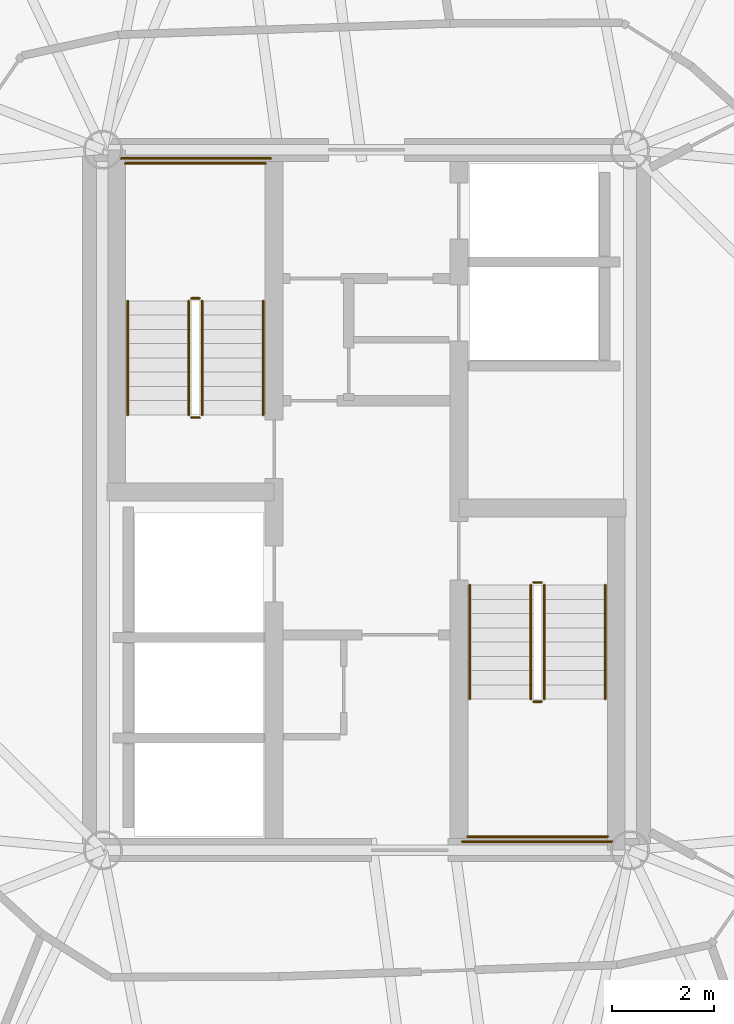
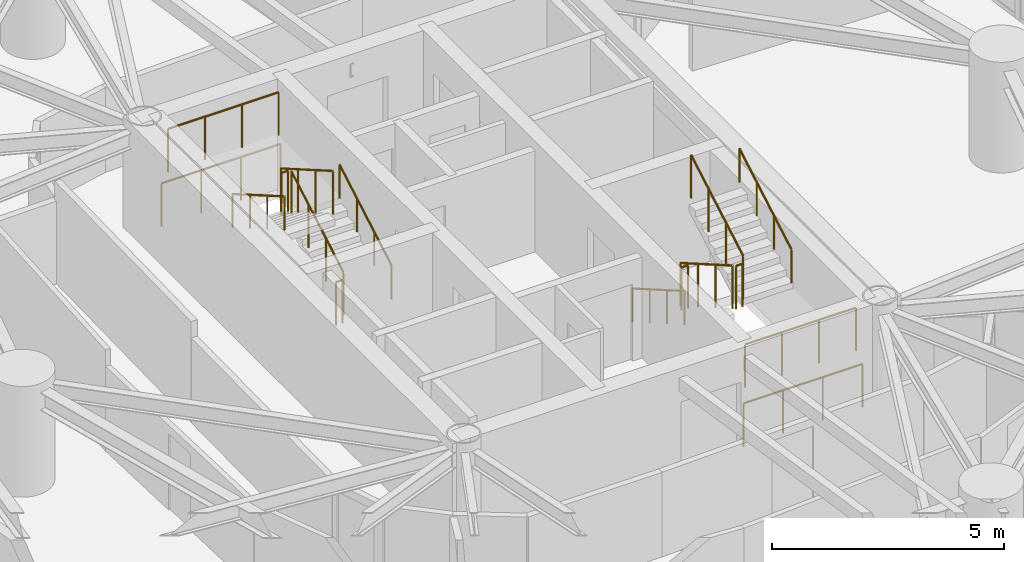
# One storey, part 16 of 17: 16 railings.
"""IFC4 building model written with IfcOpenShell, lengths in metres."""

import ifcopenshell
import ifcopenshell.guid

model = None  # the IFC model being written
_history = None  # IfcOwnerHistory: only IFC2X3 demands one
_inside = {}  # id of a spatial element -> (the spatial element, [elements in it])
_under = {}  # id of a project, library or spatial element -> (it, [spatial elements below it])
_declared = {}  # id of a project -> (the project, [libraries it declares])
_typed = {}  # id of a type object -> (the type object, [elements of that type])
_made_of = {}  # id of a material, layer set ... -> (it, [elements and type objects made of it])


def new_model(schema):
    """Start an empty IFC model of exactly this schema.

    Asked for "IFC4X3", IfcOpenShell would pick the latest addendum, in which some entities
    have other attributes; the version numbers below select the first issue.
    IFC2X3 requires an IfcOwnerHistory on every rooted entity: one is made here for all.
    """
    global model, _history
    if schema == "IFC4X3":
        model = ifcopenshell.file(schema_version=(4, 3, 0, 0))
    else:
        model = ifcopenshell.file(schema=schema)
    _inside.clear()
    _under.clear()
    _declared.clear()
    _typed.clear()
    _made_of.clear()
    _history = None
    if model.schema == "IFC2X3":
        org = make("IfcOrganization", Name="unknown")
        user = make(
            "IfcPersonAndOrganization",
            ThePerson=make("IfcPerson", FamilyName="unknown"),
            TheOrganization=org,
        )
        app = make(
            "IfcApplication",
            ApplicationDeveloper=org,
            Version="unknown",
            ApplicationFullName="unknown",
            ApplicationIdentifier="unknown",
        )
        _history = make(
            "IfcOwnerHistory",
            OwningUser=user,
            OwningApplication=app,
            ChangeAction="ADDED",
            CreationDate=0,
        )
    return model


def make(cls, **values):
    """One entity of the class cls with the attributes given. An attribute that is None is left unset."""
    return model.create_entity(
        cls, **{name: value for name, value in values.items() if value is not None}
    )


def rooted(cls, **values):
    """An entity with a GlobalId (a new one), such as an element, a storey or a relation."""
    return make(cls, GlobalId=ifcopenshell.guid.new(), OwnerHistory=_history, **values)


def si_unit(unit_type, name, prefix=None):
    """IfcSIUnit, for example si_unit("LENGTHUNIT", "METRE", prefix="MILLI")."""
    return make("IfcSIUnit", UnitType=unit_type, Prefix=prefix, Name=name)


def assignment(units):
    """IfcUnitAssignment: the units of a project."""
    return None if units is None else make("IfcUnitAssignment", Units=units)


def point(xyz):
    """IfcCartesianPoint."""
    return None if xyz is None else make("IfcCartesianPoint", Coordinates=xyz)


def direction(xyz):
    """IfcDirection."""
    return None if xyz is None else make("IfcDirection", DirectionRatios=xyz)


def frame(location, z_axis=None, x_axis=None):
    """IfcAxis2Placement3D, a coordinate frame: its origin and axes. An axis left out is left unset."""
    return make(
        "IfcAxis2Placement3D",
        Location=point(location),
        Axis=direction(z_axis),
        RefDirection=direction(x_axis),
    )


def frame_2d(location, x_axis=None):
    """IfcAxis2Placement2D, a coordinate frame in the plane: its origin and x axis."""
    return make(
        "IfcAxis2Placement2D", Location=point(location), RefDirection=direction(x_axis)
    )


def origin():
    """The frame at (0, 0, 0) with its axes left unset."""
    return frame((0.0, 0.0, 0.0))


def origin_2d():
    """The frame at (0, 0) in the plane with its x axis left unset."""
    return frame_2d((0.0, 0.0))


def place(relative_to, where):
    """IfcLocalPlacement: puts the frame where relative to a parent placement (None: the world)."""
    return make(
        "IfcLocalPlacement", PlacementRelTo=relative_to, RelativePlacement=where
    )


def context(
    kind, dimensions, precision=None, world=None, true_north=None, identifier=None
):
    """IfcGeometricRepresentationContext, for example the 3D "Model" context."""
    return make(
        "IfcGeometricRepresentationContext",
        ContextIdentifier=identifier,
        ContextType=kind,
        CoordinateSpaceDimension=dimensions,
        Precision=precision,
        WorldCoordinateSystem=world,
        TrueNorth=true_north,
    )


def subcontext(parent, identifier, kind, view, scale=None):
    """IfcGeometricRepresentationSubContext, for example "Body" below "Model"."""
    return make(
        "IfcGeometricRepresentationSubContext",
        ContextIdentifier=identifier,
        ContextType=kind,
        ParentContext=parent,
        TargetScale=scale,
        TargetView=view,
    )


def project(units=None, contexts=None):
    """IfcProject with its units and contexts."""
    return rooted(
        "IfcProject",
        Name="project",
        RepresentationContexts=contexts,
        UnitsInContext=assignment(units),
    )


def spatial(cls, under=None, at=None, **own):
    """A site, building, storey or space (cls), placed at a placement, below another one or the project."""
    s = rooted(cls, ObjectPlacement=at, **own)
    if under is not None:
        _under.setdefault(under.id(), (under, []))[1].append(s)
    return s


def profile(cls, at=None, kind="AREA", **sizes):
    """A parametric profile (cls). Its sizes go by their IFC names, for example OverallWidth=200.0."""
    return make(cls, ProfileType=kind, Position=at, **sizes)


def circle(**sizes):
    """IfcCircleProfileDef."""
    return profile("IfcCircleProfileDef", **sizes)


def extrude(swept, where, along, depth):
    """IfcExtrudedAreaSolid: the profile swept, set in the frame where, extruded along a direction by depth."""
    return make(
        "IfcExtrudedAreaSolid",
        SweptArea=swept,
        Position=where,
        ExtrudedDirection=direction(along),
        Depth=depth,
    )


def shape(context_of_items, identifier, shape_type, items):
    """IfcShapeRepresentation: the items that make up one representation, for example the "Body"."""
    return make(
        "IfcShapeRepresentation",
        ContextOfItems=context_of_items,
        RepresentationIdentifier=identifier,
        RepresentationType=shape_type,
        Items=items,
    )


def material(Name=None, Category=None):
    """IfcMaterial."""
    return make("IfcMaterial", Name=Name, Category=Category)


def made_of(thing, what):
    """Note that an element or type object is made of a material, layer set ...; save() writes the relation."""
    if what is not None:
        _made_of.setdefault(what.id(), (what, []))[1].append(thing)
    return thing


def type_object(cls, material=None, **own):
    """A type object (cls), such as IfcWallType, which elements share."""
    return made_of(rooted(cls, **own), material)


def element(
    cls,
    number,
    at=None,
    inside=None,
    cuts=None,
    type_object=None,
    material=None,
    context=None,
    identifier="Body",
    shape_type=None,
    held_by="IfcProductDefinitionShape",
    body=None,
    shapes=None,
    **own,
):
    """One element of the class cls, such as IfcWall. Its Tag is "e" and its number.

    at: its placement. inside: the storey or other place that contains it. cuts: it is an
    opening in that element (IfcRelVoidsElement). A single representation is given by context,
    identifier, shape_type and body (its items); several are given by shapes. held_by: the class
    of the entity that holds the representations. save() writes the other relations.
    """
    e = rooted(cls, Tag="e%d" % number, ObjectPlacement=at, **own)
    if body is not None:
        shapes = [shape(context, identifier, shape_type, body)]
    if shapes is not None:
        e.Representation = make(held_by, Representations=shapes)
    if inside is not None:
        _inside.setdefault(inside.id(), (inside, []))[1].append(e)
    if cuts is not None:
        rooted(
            "IfcRelVoidsElement", RelatingBuildingElement=cuts, RelatedOpeningElement=e
        )
    if type_object is not None:
        _typed.setdefault(type_object.id(), (type_object, []))[1].append(e)
    return made_of(e, material)


def aggregate(whole, parts):
    """IfcRelAggregates: a whole, such as a stair, and the parts it consists of."""
    return rooted("IfcRelAggregates", RelatingObject=whole, RelatedObjects=parts)


def save(model, path):
    """Write the relations noted so far, then the file.

    IfcRelAggregates (storeys below a building ...), IfcRelContainedInSpatialStructure (elements
    in a storey), IfcRelDefinesByType, IfcRelAssociatesMaterial and IfcRelDeclares: one each for
    every whole, place, type object, material and project.
    """
    for whole, parts in _under.values():
        aggregate(whole, parts)
    for where, things in _inside.values():
        rooted(
            "IfcRelContainedInSpatialStructure",
            RelatedElements=things,
            RelatingStructure=where,
        )
    for kind, things in _typed.values():
        rooted("IfcRelDefinesByType", RelatedObjects=things, RelatingType=kind)
    for what, things in _made_of.values():
        rooted("IfcRelAssociatesMaterial", RelatedObjects=things, RelatingMaterial=what)
    for by, libraries in _declared.values():
        rooted("IfcRelDeclares", RelatingContext=by, RelatedDefinitions=libraries)
    model.write(path)


model = new_model("IFC4")

# Units and contexts
model_context = context("Model", 3, precision=1e-05, world=origin(), true_north=direction((0.0, 1.0)))
body_context = subcontext(model_context, "Body", "Model", "MODEL_VIEW")
ifc_project = project(units=[si_unit("LENGTHUNIT", "METRE"), si_unit("AREAUNIT", "SQUARE_METRE"), si_unit("VOLUMEUNIT", "CUBIC_METRE"), si_unit("PLANEANGLEUNIT", "RADIAN"), si_unit("MASSUNIT", "GRAM", prefix="KILO")], contexts=[model_context])

# Site, building, storey
site_placement = place(None, origin())
site = spatial("IfcSite", under=ifc_project, at=site_placement, CompositionType="ELEMENT")
building_placement = place(site_placement, origin())
building = spatial("IfcBuilding", under=site, at=building_placement, Name="Cununo Teusaquillo Station Towers", CompositionType="ELEMENT")
storey_placement = place(building_placement, frame((0.0, 0.0, 107.97998046875)))
storey = spatial("IfcBuildingStorey", under=building, at=storey_placement, Name="L34", CompositionType="ELEMENT", Elevation=107.97998046875)

# Railings
ifc_material_1 = material(Name="Steel EN 10025-2 S355J2", Category="steel")
railing_type_1 = type_object("IfcRailingType", Name="RL-INT-GUARD", PredefinedType="GUARDRAIL", material=ifc_material_1)
railing_1_placement = place(storey_placement, frame((13.27001953125, 26.169921875, 0.16162109375)))
element("IfcRailing", 1, at=railing_1_placement, inside=storey, type_object=railing_type_1, Name="L34 ST-T1-1 stair guard 1", PredefinedType="GUARDRAIL", context=body_context, shape_type="SweptSolid", body=[
    extrude(circle(Radius=0.02392578125, at=origin_2d()), frame((0.0, 0.0, 1.1259765625), z_axis=(0.0, 0.865992244559, 0.500057429065), x_axis=(-1.0, 0.0, 0.0)), (0.0, 0.0, 1.0), 2.586669921875),
    extrude(circle(Radius=0.02099609375, at=origin_2d()), origin(), (0.0, 0.0, 1.0), 1.101806640625),
    extrude(circle(Radius=0.02099609375, at=origin_2d()), frame((0.0, 0.74658203125, 0.43115234375)), (0.0, 0.0, 1.0), 1.101806640625),
    extrude(circle(Radius=0.02099609375, at=origin_2d()), frame((0.0, 1.493408203125, 0.8623046875)), (0.0, 0.0, 1.0), 1.101806640625),
    extrude(circle(Radius=0.02099609375, at=origin_2d()), frame((0.0, 2.239990234375, 1.29345703125)), (0.0, 0.0, 1.0), 1.101806640625),
])
railing_2_placement = place(storey_placement, frame((13.219970703125, 28.4599609375, 1.455078125)))
element("IfcRailing", 2, at=railing_2_placement, inside=storey, type_object=railing_type_1, Name="L34 ST-T1-1 stair guard 2", PredefinedType="GUARDRAIL", context=body_context, shape_type="SweptSolid", body=[
    extrude(circle(Radius=0.02392578125, at=origin_2d()), frame((0.0, 0.0, 1.1259765625), z_axis=(-1.0, 0.0, 0.0), x_axis=(0.0, -1.0, 0.0)), (0.0, 0.0, 1.0), 0.159912109375),
    extrude(circle(Radius=0.02099609375, at=origin_2d()), origin(), (0.0, 0.0, 1.0), 1.101806640625),
    extrude(circle(Radius=0.02099609375, at=origin_2d()), frame((-0.159912109375, 0.0, 0.0)), (0.0, 0.0, 1.0), 1.101806640625),
])
railing_3_placement = place(storey_placement, frame((14.52001953125, 31.110107421875, 1.455078125)))
element("IfcRailing", 3, at=railing_3_placement, inside=storey, type_object=railing_type_1, Name="L34 ST-T1-1 stair guard 3", PredefinedType="GUARDRAIL", context=body_context, shape_type="SweptSolid", body=[
    extrude(circle(Radius=0.02392578125, at=origin_2d()), frame((0.0, 0.0, 1.1259765625), z_axis=(-1.0, 0.0, 0.0), x_axis=(0.0, -1.0, 0.0)), (0.0, 0.0, 1.0), 2.760009765625),
    extrude(circle(Radius=0.02099609375, at=origin_2d()), origin(), (0.0, 0.0, 1.0), 1.101806640625),
    extrude(circle(Radius=0.02099609375, at=origin_2d()), frame((-0.919921875, 0.0, 0.0)), (0.0, 0.0, 1.0), 1.101806640625),
    extrude(circle(Radius=0.02099609375, at=origin_2d()), frame((-1.840087890625, 0.0, 0.0)), (0.0, 0.0, 1.0), 1.101806640625),
    extrude(circle(Radius=0.02099609375, at=origin_2d()), frame((-2.760009765625, 0.0, 0.0)), (0.0, 0.0, 1.0), 1.101806640625),
])
railing_4_placement = place(storey_placement, frame((13.010009765625, 28.409912109375, 1.61669921875)))
element("IfcRailing", 4, at=railing_4_placement, inside=storey, type_object=railing_type_1, Name="L34 ST-T1-1 stair guard 4", PredefinedType="GUARDRAIL", context=body_context, shape_type="SweptSolid", body=[
    extrude(circle(Radius=0.02392578125, at=origin_2d()), frame((0.0, 0.0, 1.1259765625), z_axis=(0.0, -0.866033117094, 0.499986639918), x_axis=(1.0, 0.0, 0.0)), (0.0, 0.0, 1.0), 2.58642578125),
    extrude(circle(Radius=0.02099609375, at=origin_2d()), origin(), (0.0, 0.0, 1.0), 1.101806640625),
    extrude(circle(Radius=0.02099609375, at=origin_2d()), frame((0.0, -0.74658203125, 0.43115234375)), (0.0, 0.0, 1.0), 1.101806640625),
    extrude(circle(Radius=0.02099609375, at=origin_2d()), frame((0.0, -1.493408203125, 0.862060546875)), (0.0, 0.0, 1.0), 1.101806640625),
    extrude(circle(Radius=0.02099609375, at=origin_2d()), frame((0.0, -2.239990234375, 1.293212890625)), (0.0, 0.0, 1.0), 1.101806640625),
])
railing_5_placement = place(storey_placement, frame((13.219970703125, 26.1201171875, 0.0)))
element("IfcRailing", 5, at=railing_5_placement, inside=storey, type_object=railing_type_1, Name="L34 ST-T1-1 stair guard 5", PredefinedType="GUARDRAIL", context=body_context, shape_type="SweptSolid", body=[
    extrude(circle(Radius=0.02392578125, at=origin_2d()), frame((0.0, 0.0, 1.1259765625), z_axis=(-1.0, 0.0, 0.0), x_axis=(0.0, -1.0, 0.0)), (0.0, 0.0, 1.0), 0.159912109375),
    extrude(circle(Radius=0.02099609375, at=origin_2d()), origin(), (0.0, 0.0, 1.0), 1.101806640625),
    extrude(circle(Radius=0.02099609375, at=origin_2d()), frame((-0.159912109375, 0.0, 0.0)), (0.0, 0.0, 1.0), 1.101806640625),
])
railing_6_placement = place(storey_placement, frame((14.6201171875, 31.2099609375, 0.0)))
element("IfcRailing", 6, at=railing_6_placement, inside=storey, type_object=railing_type_1, Name="L34 ST-T1-1 stair guard 6", PredefinedType="GUARDRAIL", context=body_context, shape_type="SweptSolid", body=[
    extrude(circle(Radius=0.02392578125, at=origin_2d()), frame((0.0, 0.0, 1.1259765625), z_axis=(-1.0, 0.0, 0.0), x_axis=(0.0, -1.0, 0.0)), (0.0, 0.0, 1.0), 2.960205078125),
    extrude(circle(Radius=0.02099609375, at=origin_2d()), origin(), (0.0, 0.0, 1.0), 1.101806640625),
    extrude(circle(Radius=0.02099609375, at=origin_2d()), frame((-0.98681640625, 0.0, 0.0)), (0.0, 0.0, 1.0), 1.101806640625),
    extrude(circle(Radius=0.02099609375, at=origin_2d()), frame((-1.973388671875, 0.0, 0.0)), (0.0, 0.0, 1.0), 1.101806640625),
    extrude(circle(Radius=0.02099609375, at=origin_2d()), frame((-2.960205078125, 0.0, 0.0)), (0.0, 0.0, 1.0), 1.101806640625),
])
railing_7_placement = place(storey_placement, frame((19.72998046875, 22.830078125, 0.16162109375)))
element("IfcRailing", 7, at=railing_7_placement, inside=storey, type_object=railing_type_1, Name="L34 ST-T1-2 stair guard 1", PredefinedType="GUARDRAIL", context=body_context, shape_type="SweptSolid", body=[
    extrude(circle(Radius=0.02392578125, at=origin_2d()), frame((0.0, 0.0, 1.1259765625), z_axis=(0.0, -0.865992244559, 0.500057429065), x_axis=(1.0, 0.0, 0.0)), (0.0, 0.0, 1.0), 2.586669921875),
    extrude(circle(Radius=0.02099609375, at=origin_2d()), origin(), (0.0, 0.0, 1.0), 1.101806640625),
    extrude(circle(Radius=0.02099609375, at=origin_2d()), frame((0.0, -0.74658203125, 0.43115234375)), (0.0, 0.0, 1.0), 1.101806640625),
    extrude(circle(Radius=0.02099609375, at=origin_2d()), frame((0.0, -1.493408203125, 0.8623046875)), (0.0, 0.0, 1.0), 1.101806640625),
    extrude(circle(Radius=0.02099609375, at=origin_2d()), frame((0.0, -2.239990234375, 1.29345703125)), (0.0, 0.0, 1.0), 1.101806640625),
])
railing_8_placement = place(storey_placement, frame((19.780029296875, 20.5400390625, 1.455078125)))
element("IfcRailing", 8, at=railing_8_placement, inside=storey, type_object=railing_type_1, Name="L34 ST-T1-2 stair guard 2", PredefinedType="GUARDRAIL", context=body_context, shape_type="SweptSolid", body=[
    extrude(circle(Radius=0.02392578125, at=origin_2d()), frame((0.0, 0.0, 1.1259765625), z_axis=(1.0, 0.0, 0.0), x_axis=(0.0, 1.0, 0.0)), (0.0, 0.0, 1.0), 0.159912109375),
    extrude(circle(Radius=0.02099609375, at=origin_2d()), origin(), (0.0, 0.0, 1.0), 1.101806640625),
    extrude(circle(Radius=0.02099609375, at=origin_2d()), frame((0.159912109375, 0.0, 0.0)), (0.0, 0.0, 1.0), 1.101806640625),
])
railing_9_placement = place(storey_placement, frame((18.47998046875, 17.889892578125, 1.455078125)))
element("IfcRailing", 9, at=railing_9_placement, inside=storey, type_object=railing_type_1, Name="L34 ST-T1-2 stair guard 3", PredefinedType="GUARDRAIL", context=body_context, shape_type="SweptSolid", body=[
    extrude(circle(Radius=0.02392578125, at=origin_2d()), frame((0.0, 0.0, 1.1259765625), z_axis=(1.0, 0.0, 0.0), x_axis=(0.0, 1.0, 0.0)), (0.0, 0.0, 1.0), 2.760009765625),
    extrude(circle(Radius=0.02099609375, at=origin_2d()), origin(), (0.0, 0.0, 1.0), 1.101806640625),
    extrude(circle(Radius=0.02099609375, at=origin_2d()), frame((0.919921875, 0.0, 0.0)), (0.0, 0.0, 1.0), 1.101806640625),
    extrude(circle(Radius=0.02099609375, at=origin_2d()), frame((1.840087890625, 0.0, 0.0)), (0.0, 0.0, 1.0), 1.101806640625),
    extrude(circle(Radius=0.02099609375, at=origin_2d()), frame((2.760009765625, 0.0, 0.0)), (0.0, 0.0, 1.0), 1.101806640625),
])
railing_10_placement = place(storey_placement, frame((19.989990234375, 20.590087890625, 1.61669921875)))
element("IfcRailing", 10, at=railing_10_placement, inside=storey, type_object=railing_type_1, Name="L34 ST-T1-2 stair guard 4", PredefinedType="GUARDRAIL", context=body_context, shape_type="SweptSolid", body=[
    extrude(circle(Radius=0.02392578125, at=origin_2d()), frame((0.0, 0.0, 1.1259765625), z_axis=(0.0, 0.866033117094, 0.499986639918), x_axis=(-1.0, 0.0, 0.0)), (0.0, 0.0, 1.0), 2.58642578125),
    extrude(circle(Radius=0.02099609375, at=origin_2d()), origin(), (0.0, 0.0, 1.0), 1.101806640625),
    extrude(circle(Radius=0.02099609375, at=origin_2d()), frame((0.0, 0.74658203125, 0.43115234375)), (0.0, 0.0, 1.0), 1.101806640625),
    extrude(circle(Radius=0.02099609375, at=origin_2d()), frame((0.0, 1.493408203125, 0.862060546875)), (0.0, 0.0, 1.0), 1.101806640625),
    extrude(circle(Radius=0.02099609375, at=origin_2d()), frame((0.0, 2.239990234375, 1.293212890625)), (0.0, 0.0, 1.0), 1.101806640625),
])
railing_11_placement = place(storey_placement, frame((19.780029296875, 22.8798828125, 0.0)))
element("IfcRailing", 11, at=railing_11_placement, inside=storey, type_object=railing_type_1, Name="L34 ST-T1-2 stair guard 5", PredefinedType="GUARDRAIL", context=body_context, shape_type="SweptSolid", body=[
    extrude(circle(Radius=0.02392578125, at=origin_2d()), frame((0.0, 0.0, 1.1259765625), z_axis=(1.0, 0.0, 0.0), x_axis=(0.0, 1.0, 0.0)), (0.0, 0.0, 1.0), 0.159912109375),
    extrude(circle(Radius=0.02099609375, at=origin_2d()), origin(), (0.0, 0.0, 1.0), 1.101806640625),
    extrude(circle(Radius=0.02099609375, at=origin_2d()), frame((0.159912109375, 0.0, 0.0)), (0.0, 0.0, 1.0), 1.101806640625),
])
railing_12_placement = place(storey_placement, frame((18.3798828125, 17.7900390625, 0.0)))
element("IfcRailing", 12, at=railing_12_placement, inside=storey, type_object=railing_type_1, Name="L34 ST-T1-2 stair guard 6", PredefinedType="GUARDRAIL", context=body_context, shape_type="SweptSolid", body=[
    extrude(circle(Radius=0.02392578125, at=origin_2d()), frame((0.0, 0.0, 1.1259765625), z_axis=(1.0, 0.0, 0.0), x_axis=(0.0, 1.0, 0.0)), (0.0, 0.0, 1.0), 2.960205078125),
    extrude(circle(Radius=0.02099609375, at=origin_2d()), origin(), (0.0, 0.0, 1.0), 1.101806640625),
    extrude(circle(Radius=0.02099609375, at=origin_2d()), frame((0.98681640625, 0.0, 0.0)), (0.0, 0.0, 1.0), 1.101806640625),
    extrude(circle(Radius=0.02099609375, at=origin_2d()), frame((1.973388671875, 0.0, 0.0)), (0.0, 0.0, 1.0), 1.101806640625),
    extrude(circle(Radius=0.02099609375, at=origin_2d()), frame((2.960205078125, 0.0, 0.0)), (0.0, 0.0, 1.0), 1.101806640625),
])
ifc_material_2 = material(Name="Steel EN 10025-2 S355J2", Category="steel")
railing_type_2 = type_object("IfcRailingType", Name="RL-INT-HRAIL", PredefinedType="HANDRAIL", material=ifc_material_2)
railing_13_placement = place(storey_placement, frame((14.469970703125, 26.169921875, 0.16162109375)))
element("IfcRailing", 13, at=railing_13_placement, inside=storey, type_object=railing_type_2, Name="L34 ST-T1-1 stair handrail 1", PredefinedType="HANDRAIL", context=body_context, shape_type="SweptSolid", body=[
    extrude(circle(Radius=0.02392578125, at=origin_2d()), frame((0.0, 0.0, 0.8759765625), z_axis=(0.0, 0.865992244559, 0.500057429065), x_axis=(-1.0, 0.0, 0.0)), (0.0, 0.0, 1.0), 2.586669921875),
    extrude(circle(Radius=0.02099609375, at=origin_2d()), origin(), (0.0, 0.0, 1.0), 0.851806640625),
    extrude(circle(Radius=0.02099609375, at=origin_2d()), frame((0.0, 0.74658203125, 0.43115234375)), (0.0, 0.0, 1.0), 0.851806640625),
    extrude(circle(Radius=0.02099609375, at=origin_2d()), frame((0.0, 1.493408203125, 0.8623046875)), (0.0, 0.0, 1.0), 0.851806640625),
    extrude(circle(Radius=0.02099609375, at=origin_2d()), frame((0.0, 2.239990234375, 1.29345703125)), (0.0, 0.0, 1.0), 0.851806640625),
])
railing_14_placement = place(storey_placement, frame((11.81005859375, 28.409912109375, 1.61669921875)))
element("IfcRailing", 14, at=railing_14_placement, inside=storey, type_object=railing_type_2, Name="L34 ST-T1-1 stair handrail 2", PredefinedType="HANDRAIL", context=body_context, shape_type="SweptSolid", body=[
    extrude(circle(Radius=0.02392578125, at=origin_2d()), frame((0.0, 0.0, 0.8759765625), z_axis=(0.0, -0.866033117094, 0.499986639918), x_axis=(1.0, 0.0, 0.0)), (0.0, 0.0, 1.0), 2.58642578125),
    extrude(circle(Radius=0.02099609375, at=origin_2d()), origin(), (0.0, 0.0, 1.0), 0.851806640625),
    extrude(circle(Radius=0.02099609375, at=origin_2d()), frame((0.0, -0.74658203125, 0.43115234375)), (0.0, 0.0, 1.0), 0.851806640625),
    extrude(circle(Radius=0.02099609375, at=origin_2d()), frame((0.0, -1.493408203125, 0.862060546875)), (0.0, 0.0, 1.0), 0.851806640625),
    extrude(circle(Radius=0.02099609375, at=origin_2d()), frame((0.0, -2.239990234375, 1.293212890625)), (0.0, 0.0, 1.0), 0.851806640625),
])
railing_15_placement = place(storey_placement, frame((18.530029296875, 22.830078125, 0.16162109375)))
element("IfcRailing", 15, at=railing_15_placement, inside=storey, type_object=railing_type_2, Name="L34 ST-T1-2 stair handrail 1", PredefinedType="HANDRAIL", context=body_context, shape_type="SweptSolid", body=[
    extrude(circle(Radius=0.02392578125, at=origin_2d()), frame((0.0, 0.0, 0.8759765625), z_axis=(0.0, -0.865992244559, 0.500057429065), x_axis=(1.0, 0.0, 0.0)), (0.0, 0.0, 1.0), 2.586669921875),
    extrude(circle(Radius=0.02099609375, at=origin_2d()), origin(), (0.0, 0.0, 1.0), 0.851806640625),
    extrude(circle(Radius=0.02099609375, at=origin_2d()), frame((0.0, -0.74658203125, 0.43115234375)), (0.0, 0.0, 1.0), 0.851806640625),
    extrude(circle(Radius=0.02099609375, at=origin_2d()), frame((0.0, -1.493408203125, 0.8623046875)), (0.0, 0.0, 1.0), 0.851806640625),
    extrude(circle(Radius=0.02099609375, at=origin_2d()), frame((0.0, -2.239990234375, 1.29345703125)), (0.0, 0.0, 1.0), 0.851806640625),
])
railing_16_placement = place(storey_placement, frame((21.18994140625, 20.590087890625, 1.61669921875)))
element("IfcRailing", 16, at=railing_16_placement, inside=storey, type_object=railing_type_2, Name="L34 ST-T1-2 stair handrail 2", PredefinedType="HANDRAIL", context=body_context, shape_type="SweptSolid", body=[
    extrude(circle(Radius=0.02392578125, at=origin_2d()), frame((0.0, 0.0, 0.8759765625), z_axis=(0.0, 0.866033117094, 0.499986639918), x_axis=(-1.0, 0.0, 0.0)), (0.0, 0.0, 1.0), 2.58642578125),
    extrude(circle(Radius=0.02099609375, at=origin_2d()), origin(), (0.0, 0.0, 1.0), 0.851806640625),
    extrude(circle(Radius=0.02099609375, at=origin_2d()), frame((0.0, 0.74658203125, 0.43115234375)), (0.0, 0.0, 1.0), 0.851806640625),
    extrude(circle(Radius=0.02099609375, at=origin_2d()), frame((0.0, 1.493408203125, 0.862060546875)), (0.0, 0.0, 1.0), 0.851806640625),
    extrude(circle(Radius=0.02099609375, at=origin_2d()), frame((0.0, 2.239990234375, 1.293212890625)), (0.0, 0.0, 1.0), 0.851806640625),
])

save(model, "model.ifc")
